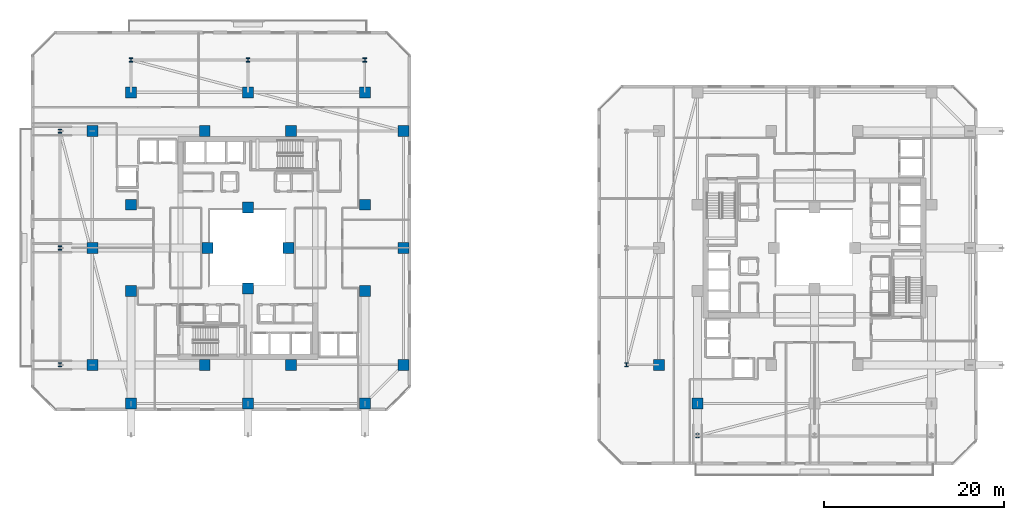
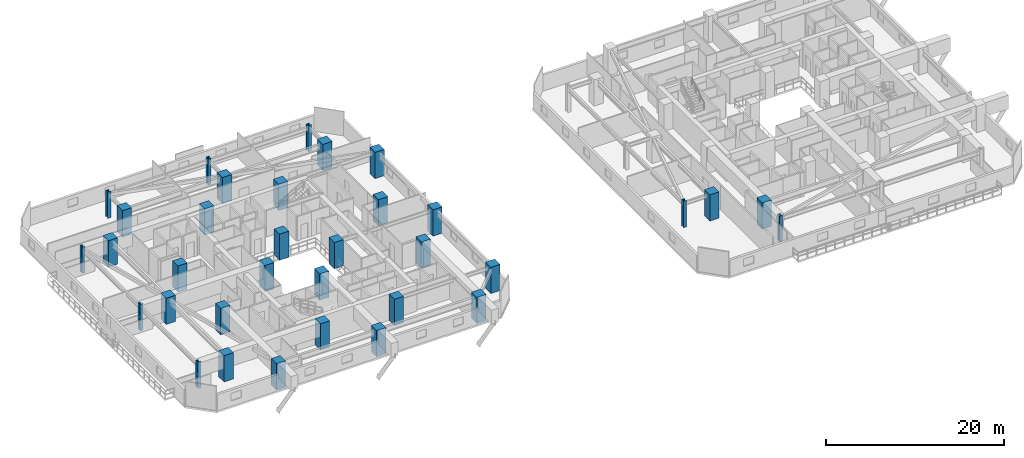
# One storey, part 1 of 36: 34 columns.
"""IFC4 building model written with IfcOpenShell, lengths in metres."""

import ifcopenshell
import ifcopenshell.guid

model = None  # the IFC model being written
_history = None  # IfcOwnerHistory: only IFC2X3 demands one
_inside = {}  # id of a spatial element -> (the spatial element, [elements in it])
_under = {}  # id of a project, library or spatial element -> (it, [spatial elements below it])
_declared = {}  # id of a project -> (the project, [libraries it declares])
_typed = {}  # id of a type object -> (the type object, [elements of that type])
_made_of = {}  # id of a material, layer set ... -> (it, [elements and type objects made of it])


def new_model(schema):
    """Start an empty IFC model of exactly this schema.

    Asked for "IFC4X3", IfcOpenShell would pick the latest addendum, in which some entities
    have other attributes; the version numbers below select the first issue.
    IFC2X3 requires an IfcOwnerHistory on every rooted entity: one is made here for all.
    """
    global model, _history
    if schema == "IFC4X3":
        model = ifcopenshell.file(schema_version=(4, 3, 0, 0))
    else:
        model = ifcopenshell.file(schema=schema)
    _inside.clear()
    _under.clear()
    _declared.clear()
    _typed.clear()
    _made_of.clear()
    _history = None
    if model.schema == "IFC2X3":
        org = make("IfcOrganization", Name="unknown")
        user = make(
            "IfcPersonAndOrganization",
            ThePerson=make("IfcPerson", FamilyName="unknown"),
            TheOrganization=org,
        )
        app = make(
            "IfcApplication",
            ApplicationDeveloper=org,
            Version="unknown",
            ApplicationFullName="unknown",
            ApplicationIdentifier="unknown",
        )
        _history = make(
            "IfcOwnerHistory",
            OwningUser=user,
            OwningApplication=app,
            ChangeAction="ADDED",
            CreationDate=0,
        )
    return model


def make(cls, **values):
    """One entity of the class cls with the attributes given. An attribute that is None is left unset."""
    return model.create_entity(
        cls, **{name: value for name, value in values.items() if value is not None}
    )


def rooted(cls, **values):
    """An entity with a GlobalId (a new one), such as an element, a storey or a relation."""
    return make(cls, GlobalId=ifcopenshell.guid.new(), OwnerHistory=_history, **values)


def si_unit(unit_type, name, prefix=None):
    """IfcSIUnit, for example si_unit("LENGTHUNIT", "METRE", prefix="MILLI")."""
    return make("IfcSIUnit", UnitType=unit_type, Prefix=prefix, Name=name)


def assignment(units):
    """IfcUnitAssignment: the units of a project."""
    return None if units is None else make("IfcUnitAssignment", Units=units)


def point(xyz):
    """IfcCartesianPoint."""
    return None if xyz is None else make("IfcCartesianPoint", Coordinates=xyz)


def direction(xyz):
    """IfcDirection."""
    return None if xyz is None else make("IfcDirection", DirectionRatios=xyz)


def frame(location, z_axis=None, x_axis=None):
    """IfcAxis2Placement3D, a coordinate frame: its origin and axes. An axis left out is left unset."""
    return make(
        "IfcAxis2Placement3D",
        Location=point(location),
        Axis=direction(z_axis),
        RefDirection=direction(x_axis),
    )


def frame_2d(location, x_axis=None):
    """IfcAxis2Placement2D, a coordinate frame in the plane: its origin and x axis."""
    return make(
        "IfcAxis2Placement2D", Location=point(location), RefDirection=direction(x_axis)
    )


def origin():
    """The frame at (0, 0, 0) with its axes left unset."""
    return frame((0.0, 0.0, 0.0))


def origin_2d():
    """The frame at (0, 0) in the plane with its x axis left unset."""
    return frame_2d((0.0, 0.0))


def place(relative_to, where):
    """IfcLocalPlacement: puts the frame where relative to a parent placement (None: the world)."""
    return make(
        "IfcLocalPlacement", PlacementRelTo=relative_to, RelativePlacement=where
    )


def context(
    kind, dimensions, precision=None, world=None, true_north=None, identifier=None
):
    """IfcGeometricRepresentationContext, for example the 3D "Model" context."""
    return make(
        "IfcGeometricRepresentationContext",
        ContextIdentifier=identifier,
        ContextType=kind,
        CoordinateSpaceDimension=dimensions,
        Precision=precision,
        WorldCoordinateSystem=world,
        TrueNorth=true_north,
    )


def subcontext(parent, identifier, kind, view, scale=None):
    """IfcGeometricRepresentationSubContext, for example "Body" below "Model"."""
    return make(
        "IfcGeometricRepresentationSubContext",
        ContextIdentifier=identifier,
        ContextType=kind,
        ParentContext=parent,
        TargetScale=scale,
        TargetView=view,
    )


def project(units=None, contexts=None):
    """IfcProject with its units and contexts."""
    return rooted(
        "IfcProject",
        Name="project",
        RepresentationContexts=contexts,
        UnitsInContext=assignment(units),
    )


def spatial(cls, under=None, at=None, **own):
    """A site, building, storey or space (cls), placed at a placement, below another one or the project."""
    s = rooted(cls, ObjectPlacement=at, **own)
    if under is not None:
        _under.setdefault(under.id(), (under, []))[1].append(s)
    return s


def profile(cls, at=None, kind="AREA", **sizes):
    """A parametric profile (cls). Its sizes go by their IFC names, for example OverallWidth=200.0."""
    return make(cls, ProfileType=kind, Position=at, **sizes)


def rectangle(**sizes):
    """IfcRectangleProfileDef."""
    return profile("IfcRectangleProfileDef", **sizes)


def i_section(**sizes):
    """IfcIShapeProfileDef."""
    return profile("IfcIShapeProfileDef", **sizes)


def extrude(swept, where, along, depth):
    """IfcExtrudedAreaSolid: the profile swept, set in the frame where, extruded along a direction by depth."""
    return make(
        "IfcExtrudedAreaSolid",
        SweptArea=swept,
        Position=where,
        ExtrudedDirection=direction(along),
        Depth=depth,
    )


def shape(context_of_items, identifier, shape_type, items):
    """IfcShapeRepresentation: the items that make up one representation, for example the "Body"."""
    return make(
        "IfcShapeRepresentation",
        ContextOfItems=context_of_items,
        RepresentationIdentifier=identifier,
        RepresentationType=shape_type,
        Items=items,
    )


def material(Name=None, Category=None):
    """IfcMaterial."""
    return make("IfcMaterial", Name=Name, Category=Category)


def material_profile(
    of_material, cross_section, Name=None, Category=None, Priority=None
):
    """IfcMaterialProfile: a cross section and its material."""
    return make(
        "IfcMaterialProfile",
        Name=Name,
        Material=of_material,
        Profile=cross_section,
        Priority=Priority,
        Category=Category,
    )


def profile_set(profiles, Name=None, composite=None):
    """IfcMaterialProfileSet."""
    return make(
        "IfcMaterialProfileSet",
        Name=Name,
        MaterialProfiles=profiles,
        CompositeProfile=composite,
    )


def made_of(thing, what):
    """Note that an element or type object is made of a material, layer set ...; save() writes the relation."""
    if what is not None:
        _made_of.setdefault(what.id(), (what, []))[1].append(thing)
    return thing


def type_object(cls, material=None, **own):
    """A type object (cls), such as IfcWallType, which elements share."""
    return made_of(rooted(cls, **own), material)


def element(
    cls,
    number,
    at=None,
    inside=None,
    cuts=None,
    type_object=None,
    material=None,
    context=None,
    identifier="Body",
    shape_type=None,
    held_by="IfcProductDefinitionShape",
    body=None,
    shapes=None,
    **own,
):
    """One element of the class cls, such as IfcWall. Its Tag is "e" and its number.

    at: its placement. inside: the storey or other place that contains it. cuts: it is an
    opening in that element (IfcRelVoidsElement). A single representation is given by context,
    identifier, shape_type and body (its items); several are given by shapes. held_by: the class
    of the entity that holds the representations. save() writes the other relations.
    """
    e = rooted(cls, Tag="e%d" % number, ObjectPlacement=at, **own)
    if body is not None:
        shapes = [shape(context, identifier, shape_type, body)]
    if shapes is not None:
        e.Representation = make(held_by, Representations=shapes)
    if inside is not None:
        _inside.setdefault(inside.id(), (inside, []))[1].append(e)
    if cuts is not None:
        rooted(
            "IfcRelVoidsElement", RelatingBuildingElement=cuts, RelatedOpeningElement=e
        )
    if type_object is not None:
        _typed.setdefault(type_object.id(), (type_object, []))[1].append(e)
    return made_of(e, material)


def aggregate(whole, parts):
    """IfcRelAggregates: a whole, such as a stair, and the parts it consists of."""
    return rooted("IfcRelAggregates", RelatingObject=whole, RelatedObjects=parts)


def save(model, path):
    """Write the relations noted so far, then the file.

    IfcRelAggregates (storeys below a building ...), IfcRelContainedInSpatialStructure (elements
    in a storey), IfcRelDefinesByType, IfcRelAssociatesMaterial and IfcRelDeclares: one each for
    every whole, place, type object, material and project.
    """
    for whole, parts in _under.values():
        aggregate(whole, parts)
    for where, things in _inside.values():
        rooted(
            "IfcRelContainedInSpatialStructure",
            RelatedElements=things,
            RelatingStructure=where,
        )
    for kind, things in _typed.values():
        rooted("IfcRelDefinesByType", RelatedObjects=things, RelatingType=kind)
    for what, things in _made_of.values():
        rooted("IfcRelAssociatesMaterial", RelatedObjects=things, RelatingMaterial=what)
    for by, libraries in _declared.values():
        rooted("IfcRelDeclares", RelatingContext=by, RelatedDefinitions=libraries)
    model.write(path)


model = new_model("IFC4")

# Units and contexts
model_context = context("Model", 3, precision=1e-05, world=origin(), true_north=direction((0.0, 1.0)))
body_context = subcontext(model_context, "Body", "Model", "MODEL_VIEW")
ifc_project = project(units=[si_unit("LENGTHUNIT", "METRE"), si_unit("AREAUNIT", "SQUARE_METRE"), si_unit("VOLUMEUNIT", "CUBIC_METRE"), si_unit("PLANEANGLEUNIT", "RADIAN"), si_unit("MASSUNIT", "GRAM", prefix="KILO")], contexts=[model_context])

# Site, building, storey
site_placement = place(None, origin())
site = spatial("IfcSite", under=ifc_project, at=site_placement, CompositionType="ELEMENT")
building_placement = place(site_placement, origin())
building = spatial("IfcBuilding", under=site, at=building_placement, Name="Thornwick Lancets Civic Towers", CompositionType="ELEMENT")
storey_placement = place(building_placement, frame((0.0, 0.0, 116.10009765625)))
storey = spatial("IfcBuildingStorey", under=building, at=storey_placement, Name="L30", CompositionType="ELEMENT", Elevation=116.10009765625)

# Columns
ifc_material_1 = material(Name="Concrete C60/75", Category="concrete")
ifc_material_profile_1 = material_profile(ifc_material_1, rectangle(XDim=1.199951171875, YDim=1.199951171875, at=origin_2d()), Name="RC 1200x1200")
ifc_profile_set_1 = profile_set([ifc_material_profile_1], Name="Concrete C60/75")
column_type_1 = type_object("IfcColumnType", Name="COL_RC_1200", PredefinedType="COLUMN", material=ifc_profile_set_1)
for number, where, z_axis, x_axis, name in (
    (1, (12.5, 9.699951171875, 0.0), (0.0, 0.0, 1.0), (1.0, 0.0, 0.0), "L30 Spine Mega-Column A01"),
    (2, (25.5, 9.699951171875, 0.0), (0.0, 0.0, 1.0), (1.0, 0.0, 0.0), "L30 Spine Mega-Column A02"),
    (3, (38.5, 9.699951171875, 0.0), (0.0, 0.0, 1.0), (1.0, 0.0, 0.0), "L30 Spine Mega-Column A03"),
    (4, (42.800048828125, 14.0, 0.0), (0.0, 0.0, 1.0), (1.0, 0.0, 0.0), "L30 Spine Mega-Column A04"),
    (5, (42.800048828125, 27.0, 0.0), (0.0, 0.0, 1.0), (1.0, 0.0, 0.0), "L30 Spine Mega-Column A05"),
    (6, (42.800048828125, 40.0, 0.0), (0.0, 0.0, 1.0), (1.0, 0.0, 0.0), "L30 Spine Mega-Column A06"),
    (7, (12.5, 44.300048828125, 0.0), (0.0, 0.0, 1.0), (1.0, 0.0, 0.0), "L30 Spine Mega-Column A07"),
    (8, (25.5, 44.300048828125, 0.0), (0.0, 0.0, 1.0), (1.0, 0.0, 0.0), "L30 Spine Mega-Column A08"),
    (9, (38.5, 44.300048828125, 0.0), (0.0, 0.0, 1.0), (1.0, 0.0, 0.0), "L30 Spine Mega-Column A09"),
    (10, (8.199951171875, 14.0, 0.0), (0.0, 0.0, 1.0), (1.0, 0.0, 0.0), "L30 Spine Mega-Column A10"),
    (11, (8.199951171875, 27.0, 0.0), (0.0, 0.0, 1.0), (1.0, 0.0, 0.0), "L30 Spine Mega-Column A11"),
    (12, (8.199951171875, 40.0, 0.0), (0.0, 0.0, 1.0), (1.0, 0.0, 0.0), "L30 Spine Mega-Column A12"),
    (13, (12.5, 22.199951171875, 0.0), (0.0, 0.0, 1.0), (1.0, 0.0, 0.0), "L30 Spine Mega-Column A13"),
    (14, (38.5, 22.199951171875, 0.0), (0.0, 0.0, 1.0), (1.0, 0.0, 0.0), "L30 Spine Mega-Column A14"),
    (15, (12.5, 31.800048828125, 0.0), (0.0, 0.0, 1.0), (1.0, 0.0, 0.0), "L30 Spine Mega-Column A15"),
    (16, (38.5, 31.800048828125, 0.0), (0.0, 0.0, 1.0), (1.0, 0.0, 0.0), "L30 Spine Mega-Column A16"),
    (17, (20.699951171875, 14.0, 0.0), (0.0, 0.0, 1.0), (1.0, 0.0, 0.0), "L30 Spine Mega-Column A17"),
    (18, (30.300048828125, 14.0, 0.0), (0.0, 0.0, 1.0), (1.0, 0.0, 0.0), "L30 Spine Mega-Column A18"),
    (19, (20.699951171875, 40.0, 0.0), (0.0, 0.0, 1.0), (1.0, 0.0, 0.0), "L30 Spine Mega-Column A19"),
    (20, (30.300048828125, 40.0, 0.0), (0.0, 0.0, 1.0), (1.0, 0.0, 0.0), "L30 Spine Mega-Column A20"),
    (21, (25.5, 22.5, 0.0), (0.0, 0.0, 1.0), (1.0, 0.0, 0.0), "L30 Spine Mega-Column A21"),
    (22, (25.5, 31.5, 0.0), (0.0, 0.0, 1.0), (1.0, 0.0, 0.0), "L30 Spine Mega-Column A22"),
    (23, (21.0, 27.0, 0.0), (0.0, 0.0, 1.0), (1.0, 0.0, 0.0), "L30 Spine Mega-Column A23"),
    (24, (30.0, 27.0, 0.0), (0.0, 0.0, 1.0), (1.0, 0.0, 0.0), "L30 Spine Mega-Column A24"),
    (25, (71.199951171875, 14.0, 0.0), (0.0, 0.0, 1.0), (1.0, 0.0, 0.0), "L30 Spine Mega-Column B07"),
    (26, (75.5, 9.699951171875, 0.0), (0.0, 0.0, 1.0), (1.0, 0.0, 0.0), "L30 Spine Mega-Column B12"),
):
    element("IfcColumn", number, at=place(storey_placement, frame(where, z_axis=z_axis, x_axis=x_axis)), inside=storey, type_object=column_type_1, Name=name, PredefinedType="COLUMN", context=body_context, shape_type="SweptSolid", body=[
        extrude(rectangle(XDim=1.199951171875, YDim=1.199951171875, at=origin_2d()), origin(), (0.0, 0.0, 1.0), 3.599853515625),
    ])
ifc_material_2 = material(Name="Steel S460M", Category="steel")
ifc_material_profile_2 = material_profile(ifc_material_2, i_section(OverallWidth=0.41845703125, OverallDepth=0.45556640625, WebThickness=0.0419921875, FlangeThickness=0.0673828125, FilletRadius=0.01513671875, at=origin_2d()), Name="UKC 356x406x551")
ifc_profile_set_2 = profile_set([ifc_material_profile_2], Name="Steel S460M")
column_type_2 = type_object("IfcColumnType", Name="COL_UKC_551", PredefinedType="COLUMN", material=ifc_profile_set_2)
for number, where, z_axis, x_axis, name in (
    (27, (12.5, 47.89990234375, 0.0), (0.0, 0.0, 1.0), (1.0, 0.0, 0.0), "L30 Block Perimeter Column A07"),
    (28, (25.5, 47.89990234375, 0.0), (0.0, 0.0, 1.0), (1.0, 0.0, 0.0), "L30 Block Perimeter Column A08"),
    (29, (38.5, 47.89990234375, 0.0), (0.0, 0.0, 1.0), (1.0, 0.0, 0.0), "L30 Block Perimeter Column A09"),
    (30, (4.60009765625, 14.0, 0.0), (0.0, 0.0, 1.0), (1.0, 0.0, 0.0), "L30 Block Perimeter Column A10"),
    (31, (4.60009765625, 27.0, 0.0), (0.0, 0.0, 1.0), (1.0, 0.0, 0.0), "L30 Block Perimeter Column A11"),
    (32, (4.60009765625, 40.0, 0.0), (0.0, 0.0, 1.0), (1.0, 0.0, 0.0), "L30 Block Perimeter Column A12"),
    (33, (67.60009765625, 14.0, 0.0), (0.0, 0.0, 1.0), (1.0, 0.0, 0.0), "L30 Block Perimeter Column B07"),
    (34, (75.5, 6.10009765625, 0.0), (0.0, 0.0, 1.0), (1.0, 0.0, 0.0), "L30 Block Perimeter Column B12"),
):
    element("IfcColumn", number, at=place(storey_placement, frame(where, z_axis=z_axis, x_axis=x_axis)), inside=storey, type_object=column_type_2, Name=name, PredefinedType="COLUMN", context=body_context, shape_type="SweptSolid", body=[
        extrude(i_section(OverallWidth=0.41845703125, OverallDepth=0.45556640625, WebThickness=0.0419921875, FlangeThickness=0.0673828125, FilletRadius=0.01513671875, at=origin_2d()), origin(), (0.0, 0.0, 1.0), 3.599853515625),
    ])

save(model, "model.ifc")
